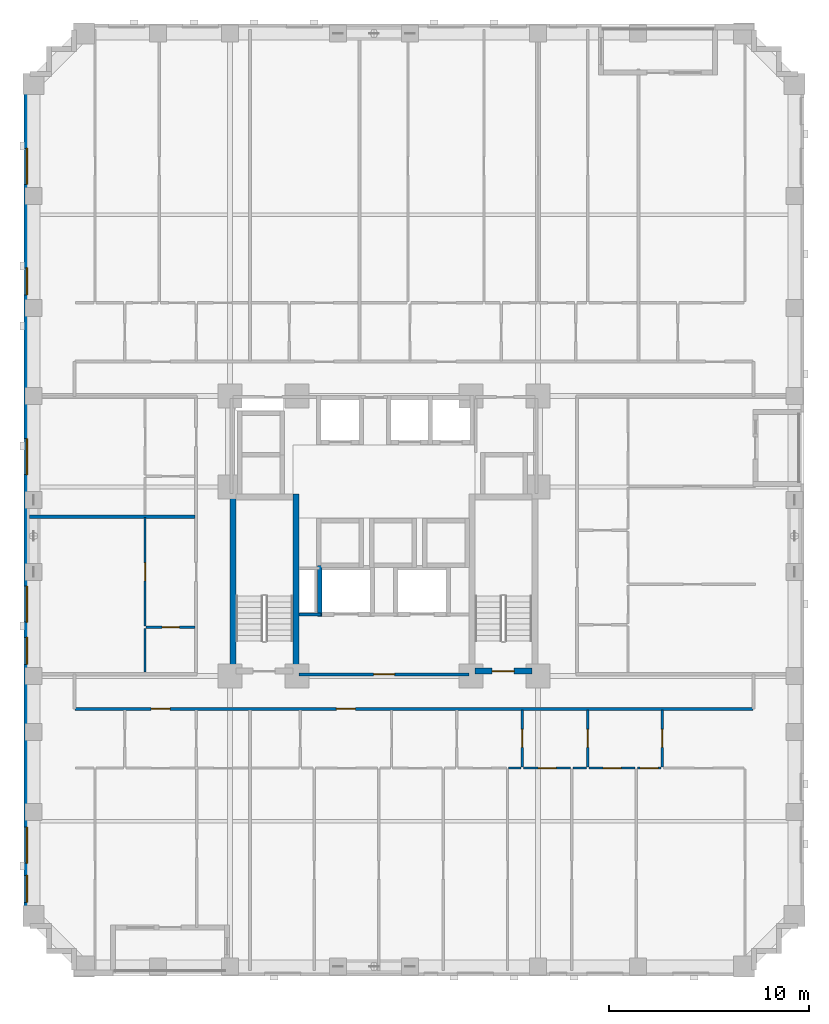
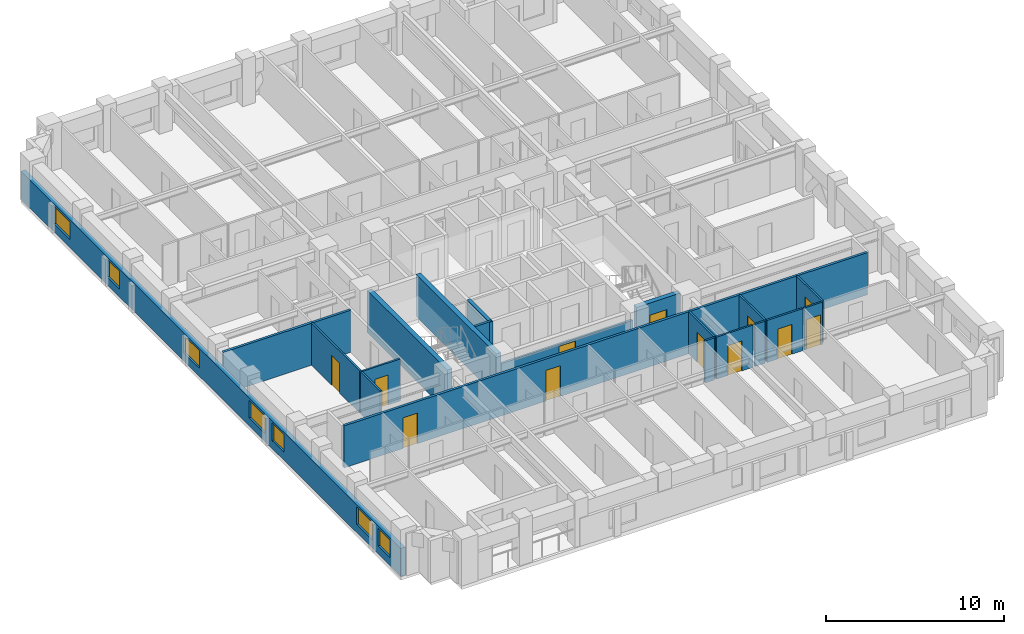
# One storey, part 4 of 14: 20 walls, 12 doors, 7 windows, 19 openings.
"""IFC4 building model written with IfcOpenShell, lengths in metres."""

import ifcopenshell
import ifcopenshell.guid

model = None  # the IFC model being written
_history = None  # IfcOwnerHistory: only IFC2X3 demands one
_inside = {}  # id of a spatial element -> (the spatial element, [elements in it])
_under = {}  # id of a project, library or spatial element -> (it, [spatial elements below it])
_declared = {}  # id of a project -> (the project, [libraries it declares])
_typed = {}  # id of a type object -> (the type object, [elements of that type])
_made_of = {}  # id of a material, layer set ... -> (it, [elements and type objects made of it])


def new_model(schema):
    """Start an empty IFC model of exactly this schema.

    Asked for "IFC4X3", IfcOpenShell would pick the latest addendum, in which some entities
    have other attributes; the version numbers below select the first issue.
    IFC2X3 requires an IfcOwnerHistory on every rooted entity: one is made here for all.
    """
    global model, _history
    if schema == "IFC4X3":
        model = ifcopenshell.file(schema_version=(4, 3, 0, 0))
    else:
        model = ifcopenshell.file(schema=schema)
    _inside.clear()
    _under.clear()
    _declared.clear()
    _typed.clear()
    _made_of.clear()
    _history = None
    if model.schema == "IFC2X3":
        org = make("IfcOrganization", Name="unknown")
        user = make(
            "IfcPersonAndOrganization",
            ThePerson=make("IfcPerson", FamilyName="unknown"),
            TheOrganization=org,
        )
        app = make(
            "IfcApplication",
            ApplicationDeveloper=org,
            Version="unknown",
            ApplicationFullName="unknown",
            ApplicationIdentifier="unknown",
        )
        _history = make(
            "IfcOwnerHistory",
            OwningUser=user,
            OwningApplication=app,
            ChangeAction="ADDED",
            CreationDate=0,
        )
    return model


def make(cls, **values):
    """One entity of the class cls with the attributes given. An attribute that is None is left unset."""
    return model.create_entity(
        cls, **{name: value for name, value in values.items() if value is not None}
    )


def rooted(cls, **values):
    """An entity with a GlobalId (a new one), such as an element, a storey or a relation."""
    return make(cls, GlobalId=ifcopenshell.guid.new(), OwnerHistory=_history, **values)


def si_unit(unit_type, name, prefix=None):
    """IfcSIUnit, for example si_unit("LENGTHUNIT", "METRE", prefix="MILLI")."""
    return make("IfcSIUnit", UnitType=unit_type, Prefix=prefix, Name=name)


def derived_unit(unit_type, elements):
    """IfcDerivedUnit: a product of units, each with its exponent."""
    return make(
        "IfcDerivedUnit",
        Elements=[
            make("IfcDerivedUnitElement", Unit=unit, Exponent=power)
            for unit, power in elements
        ],
        UnitType=unit_type,
    )


def assignment(units):
    """IfcUnitAssignment: the units of a project."""
    return None if units is None else make("IfcUnitAssignment", Units=units)


def point(xyz):
    """IfcCartesianPoint."""
    return None if xyz is None else make("IfcCartesianPoint", Coordinates=xyz)


def direction(xyz):
    """IfcDirection."""
    return None if xyz is None else make("IfcDirection", DirectionRatios=xyz)


def frame(location, z_axis=None, x_axis=None):
    """IfcAxis2Placement3D, a coordinate frame: its origin and axes. An axis left out is left unset."""
    return make(
        "IfcAxis2Placement3D",
        Location=point(location),
        Axis=direction(z_axis),
        RefDirection=direction(x_axis),
    )


def frame_2d(location, x_axis=None):
    """IfcAxis2Placement2D, a coordinate frame in the plane: its origin and x axis."""
    return make(
        "IfcAxis2Placement2D", Location=point(location), RefDirection=direction(x_axis)
    )


def origin():
    """The frame at (0, 0, 0) with its axes left unset."""
    return frame((0.0, 0.0, 0.0))


def place(relative_to, where):
    """IfcLocalPlacement: puts the frame where relative to a parent placement (None: the world)."""
    return make(
        "IfcLocalPlacement", PlacementRelTo=relative_to, RelativePlacement=where
    )


def context(
    kind, dimensions, precision=None, world=None, true_north=None, identifier=None
):
    """IfcGeometricRepresentationContext, for example the 3D "Model" context."""
    return make(
        "IfcGeometricRepresentationContext",
        ContextIdentifier=identifier,
        ContextType=kind,
        CoordinateSpaceDimension=dimensions,
        Precision=precision,
        WorldCoordinateSystem=world,
        TrueNorth=true_north,
    )


def subcontext(parent, identifier, kind, view, scale=None):
    """IfcGeometricRepresentationSubContext, for example "Body" below "Model"."""
    return make(
        "IfcGeometricRepresentationSubContext",
        ContextIdentifier=identifier,
        ContextType=kind,
        ParentContext=parent,
        TargetScale=scale,
        TargetView=view,
    )


def project(units=None, contexts=None):
    """IfcProject with its units and contexts."""
    return rooted(
        "IfcProject",
        Name="project",
        RepresentationContexts=contexts,
        UnitsInContext=assignment(units),
    )


def spatial(cls, under=None, at=None, **own):
    """A site, building, storey or space (cls), placed at a placement, below another one or the project."""
    s = rooted(cls, ObjectPlacement=at, **own)
    if under is not None:
        _under.setdefault(under.id(), (under, []))[1].append(s)
    return s


def profile(cls, at=None, kind="AREA", **sizes):
    """A parametric profile (cls). Its sizes go by their IFC names, for example OverallWidth=200.0."""
    return make(cls, ProfileType=kind, Position=at, **sizes)


def rectangle(**sizes):
    """IfcRectangleProfileDef."""
    return profile("IfcRectangleProfileDef", **sizes)


def extrude(swept, where, along, depth):
    """IfcExtrudedAreaSolid: the profile swept, set in the frame where, extruded along a direction by depth."""
    return make(
        "IfcExtrudedAreaSolid",
        SweptArea=swept,
        Position=where,
        ExtrudedDirection=direction(along),
        Depth=depth,
    )


def shape(context_of_items, identifier, shape_type, items):
    """IfcShapeRepresentation: the items that make up one representation, for example the "Body"."""
    return make(
        "IfcShapeRepresentation",
        ContextOfItems=context_of_items,
        RepresentationIdentifier=identifier,
        RepresentationType=shape_type,
        Items=items,
    )


def material(Name=None, Category=None):
    """IfcMaterial."""
    return make("IfcMaterial", Name=Name, Category=Category)


def layer(
    of_material, thickness, ventilated=None, Name=None, Category=None, Priority=None
):
    """IfcMaterialLayer: one layer of a wall or slab, of a material (None: an air gap)."""
    return make(
        "IfcMaterialLayer",
        Material=of_material,
        LayerThickness=thickness,
        IsVentilated=ventilated,
        Name=Name,
        Category=Category,
        Priority=Priority,
    )


def layer_set(layers, Name=None):
    """IfcMaterialLayerSet."""
    return make("IfcMaterialLayerSet", MaterialLayers=layers, LayerSetName=Name)


def made_of(thing, what):
    """Note that an element or type object is made of a material, layer set ...; save() writes the relation."""
    if what is not None:
        _made_of.setdefault(what.id(), (what, []))[1].append(thing)
    return thing


def type_object(cls, material=None, **own):
    """A type object (cls), such as IfcWallType, which elements share."""
    return made_of(rooted(cls, **own), material)


def element(
    cls,
    number,
    at=None,
    inside=None,
    cuts=None,
    type_object=None,
    material=None,
    context=None,
    identifier="Body",
    shape_type=None,
    held_by="IfcProductDefinitionShape",
    body=None,
    shapes=None,
    **own,
):
    """One element of the class cls, such as IfcWall. Its Tag is "e" and its number.

    at: its placement. inside: the storey or other place that contains it. cuts: it is an
    opening in that element (IfcRelVoidsElement). A single representation is given by context,
    identifier, shape_type and body (its items); several are given by shapes. held_by: the class
    of the entity that holds the representations. save() writes the other relations.
    """
    e = rooted(cls, Tag="e%d" % number, ObjectPlacement=at, **own)
    if body is not None:
        shapes = [shape(context, identifier, shape_type, body)]
    if shapes is not None:
        e.Representation = make(held_by, Representations=shapes)
    if inside is not None:
        _inside.setdefault(inside.id(), (inside, []))[1].append(e)
    if cuts is not None:
        rooted(
            "IfcRelVoidsElement", RelatingBuildingElement=cuts, RelatedOpeningElement=e
        )
    if type_object is not None:
        _typed.setdefault(type_object.id(), (type_object, []))[1].append(e)
    return made_of(e, material)


def fill(opening, filler):
    """IfcRelFillsElement: the door or window that sits in an opening."""
    return rooted(
        "IfcRelFillsElement",
        RelatingOpeningElement=opening,
        RelatedBuildingElement=filler,
    )


def aggregate(whole, parts):
    """IfcRelAggregates: a whole, such as a stair, and the parts it consists of."""
    return rooted("IfcRelAggregates", RelatingObject=whole, RelatedObjects=parts)


def save(model, path):
    """Write the relations noted so far, then the file.

    IfcRelAggregates (storeys below a building ...), IfcRelContainedInSpatialStructure (elements
    in a storey), IfcRelDefinesByType, IfcRelAssociatesMaterial and IfcRelDeclares: one each for
    every whole, place, type object, material and project.
    """
    for whole, parts in _under.values():
        aggregate(whole, parts)
    for where, things in _inside.values():
        rooted(
            "IfcRelContainedInSpatialStructure",
            RelatedElements=things,
            RelatingStructure=where,
        )
    for kind, things in _typed.values():
        rooted("IfcRelDefinesByType", RelatedObjects=things, RelatingType=kind)
    for what, things in _made_of.values():
        rooted("IfcRelAssociatesMaterial", RelatedObjects=things, RelatingMaterial=what)
    for by, libraries in _declared.values():
        rooted("IfcRelDeclares", RelatingContext=by, RelatedDefinitions=libraries)
    model.write(path)


model = new_model("IFC4")

# Units and contexts
model_context = context("Model", 3, precision=1e-05, world=origin(), true_north=direction((0.0, 1.0)))
body_context = subcontext(model_context, "Body", "Model", "MODEL_VIEW")
ifc_project = project(units=[si_unit("LENGTHUNIT", "METRE"), si_unit("AREAUNIT", "SQUARE_METRE"), si_unit("VOLUMEUNIT", "CUBIC_METRE"), si_unit("PLANEANGLEUNIT", "RADIAN"), si_unit("MASSUNIT", "GRAM", prefix="KILO"), derived_unit("THERMALTRANSMITTANCEUNIT", [(si_unit("MASSUNIT", "GRAM", prefix="KILO"), 1), (si_unit("TIMEUNIT", "SECOND"), -3), (si_unit("THERMODYNAMICTEMPERATUREUNIT", "KELVIN"), -1)])], contexts=[model_context])

# Site, building, storey
site_placement = place(None, origin())
site = spatial("IfcSite", under=ifc_project, at=site_placement, CompositionType="ELEMENT")
building_placement = place(site_placement, origin())
building = spatial("IfcBuilding", under=site, at=building_placement, Name="Korrvale Station Residences", CompositionType="ELEMENT")
storey_placement = place(building_placement, frame((0.0, 0.0, 67.39990234375)))
storey = spatial("IfcBuildingStorey", under=building, at=storey_placement, Name="L18", CompositionType="ELEMENT", Elevation=67.39990234375)

# Walls
ifc_material_1 = material(Name="Concrete C70/85", Category="concrete")
ifc_layer_1 = layer(ifc_material_1, 0.300048828125, Name="Concrete C70/85")
ifc_layer_set_1 = layer_set([ifc_layer_1], Name="Concrete C70/85")
wall_type_1 = type_object("IfcWallType", Name="WAL-CORE-300-C70", PredefinedType="SHEAR", material=ifc_layer_set_1)
for number, where, z_axis, x_axis, name in (
    (1, (17.949951171875, 15.10009765625, 0.0), (0.0, 0.0, 1.0), (0.0, 1.0, 0.0), "L18 ST-1 Core Shear Wall West"),
    (2, (21.10009765625, 15.10009765625, 0.0), (0.0, 0.0, 1.0), (0.0, 1.0, 0.0), "L18 ST-1 Core Shear Wall East"),
):
    element("IfcWall", number, at=place(storey_placement, frame(where, z_axis=z_axis, x_axis=x_axis)), inside=storey, type_object=wall_type_1, Name=name, PredefinedType="SHEAR", context=body_context, shape_type="SweptSolid", body=[
        extrude(rectangle(XDim=9.0, YDim=0.300048828125, at=frame_2d((4.5, 0.0))), origin(), (0.0, 0.0, 1.0), 2.880126953125),
    ])

# Wall, opening, door
wall_1_placement = place(storey_placement, frame((30.050048828125, 15.25, 0.0), z_axis=(0.0, 0.0, 1.0), x_axis=(1.0, 0.0, 0.0)))
wall_1 = element("IfcWall", 3, at=wall_1_placement, inside=storey, type_object=wall_type_1, Name="L18 ST-2 Core Shear Wall South", PredefinedType="SHEAR", context=body_context, shape_type="SweptSolid", body=[
    extrude(rectangle(XDim=2.849853515625, YDim=0.300048828125, at=frame_2d((1.4248046875, 0.0))), origin(), (0.0, 0.0, 1.0), 2.880126953125),
])
opening_1_placement = place(wall_1_placement, frame((0.860107421875, 0.0, 0.0)))
opening_1 = element("IfcOpeningElement", 4, at=opening_1_placement, cuts=wall_1, Name="Opening SD-1100", PredefinedType="OPENING", context=body_context, shape_type="SweptSolid", body=[
    extrude(rectangle(XDim=1.10009765625, YDim=2.050048828125, at=frame_2d((0.550048828125, 1.02490234375))), frame((0.0, 0.16015625, 0.0), z_axis=(0.0, -1.0, 0.0), x_axis=(1.0, 0.0, 0.0)), (0.0, 0.0, 1.0), 0.320068359375),
])
ifc_material_2 = material(Name="Hollow-metal fire-rated stair door with closer", Category="steel")
door_type_1 = type_object("IfcDoorType", Name="DR-STAIR-1100", OperationType="NOTDEFINED", PredefinedType="DOOR", material=ifc_material_2)
door_1_placement = place(opening_1_placement, origin())
door_1 = element("IfcDoor", 5, at=door_1_placement, inside=storey, type_object=door_type_1, Name="L18 ST-2 Exit Stair Door", OperationType="SINGLE_SWING_RIGHT", OverallHeight=2.050048828125, OverallWidth=1.10009765625, PredefinedType="DOOR", context=body_context, shape_type="SweptSolid", body=[
    extrude(rectangle(XDim=1.10009765625, YDim=2.050048828125, at=frame_2d((0.550048828125, 1.02490234375))), frame((0.0, 0.02490234375, 0.0), z_axis=(0.0, -1.0, 0.0), x_axis=(1.0, 0.0, 0.0)), (0.0, 0.0, 1.0), 0.050048828125),
])
fill(opening_1, door_1)

# Wall, openings, windows
ifc_material_3 = material(Name="Precast concrete C45/55", Category="concrete")
ifc_layer_2 = layer(ifc_material_3, 0.300048828125, Name="Precast concrete C45/55")
ifc_layer_set_2 = layer_set([ifc_layer_2], Name="Precast concrete C45/55")
wall_type_2 = type_object("IfcWallType", Name="WAL-EXT-PC300", PredefinedType="SOLIDWALL", material=ifc_layer_set_2)
wall_2_placement = place(storey_placement, frame((7.64990234375, 2.5, 0.0), z_axis=(0.0, 0.0, 1.0), x_axis=(0.0, 1.0, 0.0)))
wall_2 = element("IfcWall", 6, at=wall_2_placement, inside=storey, type_object=wall_type_2, Name="L18 West Exterior Precast Wall 1", PredefinedType="SOLIDWALL", context=body_context, shape_type="SweptSolid", body=[
    extrude(rectangle(XDim=42.60009765625, YDim=0.300048828125, at=frame_2d((21.300048828125, 0.0))), origin(), (0.0, 0.0, 1.0), 1.9150390625),
])
opening_2_placement = place(wall_2_placement, frame((3.14990234375, 0.0, 0.550048828125)))
opening_2 = element("IfcOpeningElement", 7, at=opening_2_placement, cuts=wall_2, Name="Opening W-09", PredefinedType="OPENING", context=body_context, shape_type="SweptSolid", body=[
    extrude(rectangle(XDim=1.800048828125, YDim=1.199951171875, at=frame_2d((0.89990234375, 0.60009765625))), frame((0.0, 0.16015625, 0.0), z_axis=(0.0, -1.0, 0.0), x_axis=(1.0, 0.0, 0.0)), (0.0, 0.0, 1.0), 0.320068359375),
])
opening_3_placement = place(wall_2_placement, frame((1.18505859375, 0.0, 0.550048828125)))
opening_3 = element("IfcOpeningElement", 8, at=opening_3_placement, cuts=wall_2, Name="Opening W-10", PredefinedType="OPENING", context=body_context, shape_type="SweptSolid", body=[
    extrude(rectangle(XDim=1.35009765625, YDim=1.199951171875, at=frame_2d((0.675048828125, 0.60009765625))), frame((0.0, 0.16015625, 0.0), z_axis=(0.0, -1.0, 0.0), x_axis=(1.0, 0.0, 0.0)), (0.0, 0.0, 1.0), 0.320068359375),
])
opening_4_placement = place(wall_2_placement, frame((37.0849609375, 0.0, 0.550048828125)))
opening_4 = element("IfcOpeningElement", 9, at=opening_4_placement, cuts=wall_2, Name="Opening W-09", PredefinedType="OPENING", context=body_context, shape_type="SweptSolid", body=[
    extrude(rectangle(XDim=1.800048828125, YDim=1.199951171875, at=frame_2d((0.89990234375, 0.60009765625))), frame((0.0, 0.16015625, 0.0), z_axis=(0.0, -1.0, 0.0), x_axis=(1.0, 0.0, 0.0)), (0.0, 0.0, 1.0), 0.320068359375),
])
opening_5_placement = place(wall_2_placement, frame((31.550048828125, 0.0, 0.550048828125)))
opening_5 = element("IfcOpeningElement", 10, at=opening_5_placement, cuts=wall_2, Name="Opening W-10", PredefinedType="OPENING", context=body_context, shape_type="SweptSolid", body=[
    extrude(rectangle(XDim=1.35009765625, YDim=1.199951171875, at=frame_2d((0.675048828125, 0.60009765625))), frame((0.0, 0.16015625, 0.0), z_axis=(0.0, -1.0, 0.0), x_axis=(1.0, 0.0, 0.0)), (0.0, 0.0, 1.0), 0.320068359375),
])
opening_6_placement = place(wall_2_placement, frame((15.199951171875, 0.0, 0.550048828125)))
opening_6 = element("IfcOpeningElement", 11, at=opening_6_placement, cuts=wall_2, Name="Opening W-09", PredefinedType="OPENING", context=body_context, shape_type="SweptSolid", body=[
    extrude(rectangle(XDim=1.800048828125, YDim=1.199951171875, at=frame_2d((0.89990234375, 0.60009765625))), frame((0.0, 0.16015625, 0.0), z_axis=(0.0, -1.0, 0.0), x_axis=(1.0, 0.0, 0.0)), (0.0, 0.0, 1.0), 0.320068359375),
])
opening_7_placement = place(wall_2_placement, frame((13.0849609375, 0.0, 0.550048828125)))
opening_7 = element("IfcOpeningElement", 12, at=opening_7_placement, cuts=wall_2, Name="Opening W-10", PredefinedType="OPENING", context=body_context, shape_type="SweptSolid", body=[
    extrude(rectangle(XDim=1.35009765625, YDim=1.199951171875, at=frame_2d((0.675048828125, 0.60009765625))), frame((0.0, 0.16015625, 0.0), z_axis=(0.0, -1.0, 0.0), x_axis=(1.0, 0.0, 0.0)), (0.0, 0.0, 1.0), 0.320068359375),
])
opening_8_placement = place(wall_2_placement, frame((22.574951171875, 0.0, 0.550048828125)))
opening_8 = element("IfcOpeningElement", 13, at=opening_8_placement, cuts=wall_2, Name="Opening W-09", PredefinedType="OPENING", context=body_context, shape_type="SweptSolid", body=[
    extrude(rectangle(XDim=1.800048828125, YDim=1.199951171875, at=frame_2d((0.89990234375, 0.60009765625))), frame((0.0, 0.16015625, 0.0), z_axis=(0.0, -1.0, 0.0), x_axis=(1.0, 0.0, 0.0)), (0.0, 0.0, 1.0), 0.320068359375),
])
ifc_material_4 = material(Name="Thermally broken aluminium frame with triple low-e glazing", Category="aluminium")
window_type_1 = type_object("IfcWindowType", Name="WIN-W09", PartitioningType="DOUBLE_PANEL_VERTICAL", PredefinedType="WINDOW", material=ifc_material_4)
window_1_placement = place(opening_2_placement, origin())
window_1 = element("IfcWindow", 14, at=window_1_placement, inside=storey, type_object=window_type_1, Name="L18 Punched Window 01", OverallHeight=1.199951171875, OverallWidth=1.800048828125, PartitioningType="DOUBLE_PANEL_VERTICAL", PredefinedType="WINDOW", context=body_context, shape_type="SweptSolid", body=[
    extrude(rectangle(XDim=1.800048828125, YDim=1.199951171875, at=frame_2d((0.89990234375, 0.60009765625))), frame((0.0, 0.030029296875, 0.0), z_axis=(0.0, -1.0, 0.0), x_axis=(1.0, 0.0, 0.0)), (0.0, 0.0, 1.0), 0.06005859375),
])
fill(opening_2, window_1)
window_2_placement = place(opening_4_placement, origin())
window_2 = element("IfcWindow", 15, at=window_2_placement, inside=storey, type_object=window_type_1, Name="L18 Punched Window 13", OverallHeight=1.199951171875, OverallWidth=1.800048828125, PartitioningType="DOUBLE_PANEL_VERTICAL", PredefinedType="WINDOW", context=body_context, shape_type="SweptSolid", body=[
    extrude(rectangle(XDim=1.800048828125, YDim=1.199951171875, at=frame_2d((0.89990234375, 0.60009765625))), frame((0.0, 0.030029296875, 0.0), z_axis=(0.0, -1.0, 0.0), x_axis=(1.0, 0.0, 0.0)), (0.0, 0.0, 1.0), 0.06005859375),
])
fill(opening_4, window_2)
window_3_placement = place(opening_6_placement, origin())
window_3 = element("IfcWindow", 16, at=window_3_placement, inside=storey, type_object=window_type_1, Name="L18 Punched Window 25", OverallHeight=1.199951171875, OverallWidth=1.800048828125, PartitioningType="DOUBLE_PANEL_VERTICAL", PredefinedType="WINDOW", context=body_context, shape_type="SweptSolid", body=[
    extrude(rectangle(XDim=1.800048828125, YDim=1.199951171875, at=frame_2d((0.89990234375, 0.60009765625))), frame((0.0, 0.030029296875, 0.0), z_axis=(0.0, -1.0, 0.0), x_axis=(1.0, 0.0, 0.0)), (0.0, 0.0, 1.0), 0.06005859375),
])
fill(opening_6, window_3)
window_4_placement = place(opening_8_placement, origin())
window_4 = element("IfcWindow", 17, at=window_4_placement, inside=storey, type_object=window_type_1, Name="L18 Punched Window 27", OverallHeight=1.199951171875, OverallWidth=1.800048828125, PartitioningType="DOUBLE_PANEL_VERTICAL", PredefinedType="WINDOW", context=body_context, shape_type="SweptSolid", body=[
    extrude(rectangle(XDim=1.800048828125, YDim=1.199951171875, at=frame_2d((0.89990234375, 0.60009765625))), frame((0.0, 0.030029296875, 0.0), z_axis=(0.0, -1.0, 0.0), x_axis=(1.0, 0.0, 0.0)), (0.0, 0.0, 1.0), 0.06005859375),
])
fill(opening_8, window_4)
window_type_2 = type_object("IfcWindowType", Name="WIN-W10", PartitioningType="SINGLE_PANEL", PredefinedType="WINDOW", material=ifc_material_4)
window_5_placement = place(opening_3_placement, origin())
window_5 = element("IfcWindow", 18, at=window_5_placement, inside=storey, type_object=window_type_2, Name="L18 Punched Window 02", OverallHeight=1.199951171875, OverallWidth=1.35009765625, PartitioningType="SINGLE_PANEL", PredefinedType="WINDOW", context=body_context, shape_type="SweptSolid", body=[
    extrude(rectangle(XDim=1.35009765625, YDim=1.199951171875, at=frame_2d((0.675048828125, 0.60009765625))), frame((0.0, 0.030029296875, 0.0), z_axis=(0.0, -1.0, 0.0), x_axis=(1.0, 0.0, 0.0)), (0.0, 0.0, 1.0), 0.06005859375),
])
fill(opening_3, window_5)
window_6_placement = place(opening_5_placement, origin())
window_6 = element("IfcWindow", 19, at=window_6_placement, inside=storey, type_object=window_type_2, Name="L18 Punched Window 14", OverallHeight=1.199951171875, OverallWidth=1.35009765625, PartitioningType="SINGLE_PANEL", PredefinedType="WINDOW", context=body_context, shape_type="SweptSolid", body=[
    extrude(rectangle(XDim=1.35009765625, YDim=1.199951171875, at=frame_2d((0.675048828125, 0.60009765625))), frame((0.0, 0.030029296875, 0.0), z_axis=(0.0, -1.0, 0.0), x_axis=(1.0, 0.0, 0.0)), (0.0, 0.0, 1.0), 0.06005859375),
])
fill(opening_5, window_6)
window_7_placement = place(opening_7_placement, origin())
window_7 = element("IfcWindow", 20, at=window_7_placement, inside=storey, type_object=window_type_2, Name="L18 Punched Window 26", OverallHeight=1.199951171875, OverallWidth=1.35009765625, PartitioningType="SINGLE_PANEL", PredefinedType="WINDOW", context=body_context, shape_type="SweptSolid", body=[
    extrude(rectangle(XDim=1.35009765625, YDim=1.199951171875, at=frame_2d((0.675048828125, 0.60009765625))), frame((0.0, 0.030029296875, 0.0), z_axis=(0.0, -1.0, 0.0), x_axis=(1.0, 0.0, 0.0)), (0.0, 0.0, 1.0), 0.06005859375),
])
fill(opening_7, window_7)

# Wall, opening, door
ifc_material_5 = material(Name="Acoustic steel-stud gypsum board partition", Category="steel")
ifc_layer_3 = layer(ifc_material_5, 0.1201171875, Name="Acoustic steel-stud gypsum board partition")
ifc_layer_set_3 = layer_set([ifc_layer_3], Name="Acoustic steel-stud gypsum board partition")
wall_type_3 = type_object("IfcWallType", Name="WAL-PART-125", PredefinedType="PARTITIONING", material=ifc_layer_set_3)
wall_3_placement = place(storey_placement, frame((32.416015625, 10.4599609375, 0.0), z_axis=(0.0, 0.0, 1.0), x_axis=(0.0, 1.0, 0.0)))
wall_3 = element("IfcWall", 21, at=wall_3_placement, inside=storey, type_object=wall_type_3, Name="L18 Suite Partition U02-V34", PredefinedType="PARTITIONING", context=body_context, shape_type="SweptSolid", body=[
    extrude(rectangle(XDim=2.85009765625, YDim=0.1201171875, at=frame_2d((1.425048828125, 0.0))), origin(), (0.0, 0.0, 1.0), 2.880126953125),
])
opening_9_placement = place(wall_3_placement, frame((0.97509765625, 0.0, 0.0)))
opening_9 = element("IfcOpeningElement", 22, at=opening_9_placement, cuts=wall_3, Name="Opening DI-900", PredefinedType="OPENING", context=body_context, shape_type="SweptSolid", body=[
    extrude(rectangle(XDim=0.89990234375, YDim=2.050048828125, at=frame_2d((0.449951171875, 1.02490234375))), frame((0.0, 0.070068359375, 0.0), z_axis=(0.0, -1.0, 0.0), x_axis=(1.0, 0.0, 0.0)), (0.0, 0.0, 1.0), 0.14013671875),
])
ifc_material_6 = material(Name="Painted solid-core timber interior room door", Category="wood")
door_type_2 = type_object("IfcDoorType", Name="DR-INT-900", OperationType="NOTDEFINED", PredefinedType="DOOR", material=ifc_material_6)
door_2_placement = place(opening_9_placement, origin())
door_2 = element("IfcDoor", 23, at=door_2_placement, inside=storey, type_object=door_type_2, Name="L18 Studio Apartment L18-U02 Home Study Room Door", OperationType="SINGLE_SWING_RIGHT", OverallHeight=2.050048828125, OverallWidth=0.89990234375, PredefinedType="DOOR", context=body_context, shape_type="SweptSolid", body=[
    extrude(rectangle(XDim=0.89990234375, YDim=2.050048828125, at=frame_2d((0.449951171875, 1.02490234375))), frame((0.0, 0.02490234375, 0.0), z_axis=(0.0, -1.0, 0.0), x_axis=(1.0, 0.0, 0.0)), (0.0, 0.0, 1.0), 0.050048828125),
])
fill(opening_9, door_2)

# Wall
wall_4_placement = place(storey_placement, frame((31.736083984375, 10.39990234375, 0.0), z_axis=(0.0, 0.0, 1.0), x_axis=(1.0, 0.0, 0.0)))
element("IfcWall", 24, at=wall_4_placement, inside=storey, type_object=wall_type_3, Name="L18 Suite Partition U02-H311", PredefinedType="PARTITIONING", context=body_context, shape_type="SweptSolid", body=[
    extrude(rectangle(XDim=0.619873046875, YDim=0.1201171875, at=frame_2d((0.31005859375, 0.0))), origin(), (0.0, 0.0, 1.0), 2.880126953125),
])

# Wall, opening, door
wall_5_placement = place(storey_placement, frame((35.68603515625, 10.4599609375, 0.0), z_axis=(0.0, 0.0, 1.0), x_axis=(0.0, 1.0, 0.0)))
wall_5 = element("IfcWall", 25, at=wall_5_placement, inside=storey, type_object=wall_type_3, Name="L18 Suite Partition U02-V45", PredefinedType="PARTITIONING", context=body_context, shape_type="SweptSolid", body=[
    extrude(rectangle(XDim=2.85009765625, YDim=0.1201171875, at=frame_2d((1.425048828125, 0.0))), origin(), (0.0, 0.0, 1.0), 2.880126953125),
])
opening_10_placement = place(wall_5_placement, frame((0.97509765625, 0.0, 0.0)))
opening_10 = element("IfcOpeningElement", 26, at=opening_10_placement, cuts=wall_5, Name="Opening DI-900", PredefinedType="OPENING", context=body_context, shape_type="SweptSolid", body=[
    extrude(rectangle(XDim=0.89990234375, YDim=2.050048828125, at=frame_2d((0.449951171875, 1.02490234375))), frame((0.0, 0.070068359375, 0.0), z_axis=(0.0, -1.0, 0.0), x_axis=(1.0, 0.0, 0.0)), (0.0, 0.0, 1.0), 0.14013671875),
])
door_3_placement = place(opening_10_placement, origin())
door_3 = element("IfcDoor", 27, at=door_3_placement, inside=storey, type_object=door_type_2, Name="L18 Studio Apartment L18-U02 Utility and Laundry Room Door", OperationType="SINGLE_SWING_RIGHT", OverallHeight=2.050048828125, OverallWidth=0.89990234375, PredefinedType="DOOR", context=body_context, shape_type="SweptSolid", body=[
    extrude(rectangle(XDim=0.89990234375, YDim=2.050048828125, at=frame_2d((0.449951171875, 1.02490234375))), frame((0.0, 0.02490234375, 0.0), z_axis=(0.0, -1.0, 0.0), x_axis=(1.0, 0.0, 0.0)), (0.0, 0.0, 1.0), 0.050048828125),
])
fill(opening_10, door_3)

wall_6_placement = place(storey_placement, frame((32.47607421875, 10.39990234375, 0.0), z_axis=(0.0, 0.0, 1.0), x_axis=(1.0, 0.0, 0.0)))
wall_6 = element("IfcWall", 28, at=wall_6_placement, inside=storey, type_object=wall_type_3, Name="L18 Suite Partition U02-H411", PredefinedType="PARTITIONING", context=body_context, shape_type="SweptSolid", body=[
    extrude(rectangle(XDim=2.35986328125, YDim=0.1201171875, at=frame_2d((1.179931640625, 0.0))), origin(), (0.0, 0.0, 1.0), 2.880126953125),
])
opening_11_placement = place(wall_6_placement, frame((0.72998046875, 0.0, 0.0)))
opening_11 = element("IfcOpeningElement", 29, at=opening_11_placement, cuts=wall_6, Name="Opening DI-900", PredefinedType="OPENING", context=body_context, shape_type="SweptSolid", body=[
    extrude(rectangle(XDim=0.89990234375, YDim=2.050048828125, at=frame_2d((0.449951171875, 1.02490234375))), frame((0.0, 0.070068359375, 0.0), z_axis=(0.0, -1.0, 0.0), x_axis=(1.0, 0.0, 0.0)), (0.0, 0.0, 1.0), 0.14013671875),
])
door_4_placement = place(opening_11_placement, origin())
door_4 = element("IfcDoor", 30, at=door_4_placement, inside=storey, type_object=door_type_2, Name="L18 Studio Apartment L18-U02 Utility and Laundry Room Door", OperationType="SINGLE_SWING_LEFT", OverallHeight=2.050048828125, OverallWidth=0.89990234375, PredefinedType="DOOR", context=body_context, shape_type="SweptSolid", body=[
    extrude(rectangle(XDim=0.89990234375, YDim=2.050048828125, at=frame_2d((0.449951171875, 1.02490234375))), frame((0.0, 0.02490234375, 0.0), z_axis=(0.0, -1.0, 0.0), x_axis=(1.0, 0.0, 0.0)), (0.0, 0.0, 1.0), 0.050048828125),
])
fill(opening_11, door_4)

# Wall
wall_7_placement = place(storey_placement, frame((34.9560546875, 10.39990234375, 0.0), z_axis=(0.0, 0.0, 1.0), x_axis=(1.0, 0.0, 0.0)))
element("IfcWall", 31, at=wall_7_placement, inside=storey, type_object=wall_type_3, Name="L18 Suite Partition U02-H412", PredefinedType="PARTITIONING", context=body_context, shape_type="SweptSolid", body=[
    extrude(rectangle(XDim=0.669921875, YDim=0.1201171875, at=frame_2d((0.3349609375, 0.0))), origin(), (0.0, 0.0, 1.0), 2.880126953125),
])

# Wall, opening, door
wall_8_placement = place(storey_placement, frame((39.406005859375, 10.4599609375, 0.0), z_axis=(0.0, 0.0, 1.0), x_axis=(0.0, 1.0, 0.0)))
wall_8 = element("IfcWall", 32, at=wall_8_placement, inside=storey, type_object=wall_type_3, Name="L18 Suite Partition U02-V56", PredefinedType="PARTITIONING", context=body_context, shape_type="SweptSolid", body=[
    extrude(rectangle(XDim=2.85009765625, YDim=0.1201171875, at=frame_2d((1.425048828125, 0.0))), origin(), (0.0, 0.0, 1.0), 2.880126953125),
])
opening_12_placement = place(wall_8_placement, frame((0.97509765625, 0.0, 0.0)))
opening_12 = element("IfcOpeningElement", 33, at=opening_12_placement, cuts=wall_8, Name="Opening DI-900", PredefinedType="OPENING", context=body_context, shape_type="SweptSolid", body=[
    extrude(rectangle(XDim=0.89990234375, YDim=2.050048828125, at=frame_2d((0.449951171875, 1.02490234375))), frame((0.0, 0.070068359375, 0.0), z_axis=(0.0, -1.0, 0.0), x_axis=(1.0, 0.0, 0.0)), (0.0, 0.0, 1.0), 0.14013671875),
])
door_5_placement = place(opening_12_placement, origin())
door_5 = element("IfcDoor", 34, at=door_5_placement, inside=storey, type_object=door_type_2, Name="L18 Studio Apartment L18-U02 Storage Closet 2 Door", OperationType="SINGLE_SWING_RIGHT", OverallHeight=2.050048828125, OverallWidth=0.89990234375, PredefinedType="DOOR", context=body_context, shape_type="SweptSolid", body=[
    extrude(rectangle(XDim=0.89990234375, YDim=2.050048828125, at=frame_2d((0.449951171875, 1.02490234375))), frame((0.0, 0.02490234375, 0.0), z_axis=(0.0, -1.0, 0.0), x_axis=(1.0, 0.0, 0.0)), (0.0, 0.0, 1.0), 0.050048828125),
])
fill(opening_12, door_5)

wall_9_placement = place(storey_placement, frame((35.74609375, 10.39990234375, 0.0), z_axis=(0.0, 0.0, 1.0), x_axis=(1.0, 0.0, 0.0)))
wall_9 = element("IfcWall", 35, at=wall_9_placement, inside=storey, type_object=wall_type_3, Name="L18 Suite Partition U02-H512", PredefinedType="PARTITIONING", context=body_context, shape_type="SweptSolid", body=[
    extrude(rectangle(XDim=2.309814453125, YDim=0.1201171875, at=frame_2d((1.15478515625, 0.0))), origin(), (0.0, 0.0, 1.0), 2.880126953125),
])
opening_13_placement = place(wall_9_placement, frame((0.705078125, 0.0, 0.0)))
opening_13 = element("IfcOpeningElement", 36, at=opening_13_placement, cuts=wall_9, Name="Opening DI-900", PredefinedType="OPENING", context=body_context, shape_type="SweptSolid", body=[
    extrude(rectangle(XDim=0.89990234375, YDim=2.050048828125, at=frame_2d((0.449951171875, 1.02490234375))), frame((0.0, 0.070068359375, 0.0), z_axis=(0.0, -1.0, 0.0), x_axis=(1.0, 0.0, 0.0)), (0.0, 0.0, 1.0), 0.14013671875),
])
door_6_placement = place(opening_13_placement, origin())
door_6 = element("IfcDoor", 37, at=door_6_placement, inside=storey, type_object=door_type_2, Name="L18 Studio Apartment L18-U02 Storage Closet 2 Door", OperationType="SINGLE_SWING_LEFT", OverallHeight=2.050048828125, OverallWidth=0.89990234375, PredefinedType="DOOR", context=body_context, shape_type="SweptSolid", body=[
    extrude(rectangle(XDim=0.89990234375, YDim=2.050048828125, at=frame_2d((0.449951171875, 1.02490234375))), frame((0.0, 0.02490234375, 0.0), z_axis=(0.0, -1.0, 0.0), x_axis=(1.0, 0.0, 0.0)), (0.0, 0.0, 1.0), 0.050048828125),
])
fill(opening_13, door_6)

wall_10_placement = place(storey_placement, frame((38.176025390625, 10.39990234375, 0.0), z_axis=(0.0, 0.0, 1.0), x_axis=(1.0, 0.0, 0.0)))
wall_10 = element("IfcWall", 38, at=wall_10_placement, inside=storey, type_object=wall_type_3, Name="L18 Suite Partition U02-H513", PredefinedType="PARTITIONING", context=body_context, shape_type="SweptSolid", body=[
    extrude(rectangle(XDim=1.169921875, YDim=0.1201171875, at=frame_2d((0.5849609375, 0.0))), origin(), (0.0, 0.0, 1.0), 2.880126953125),
])
opening_14_placement = place(wall_10_placement, frame((0.135009765625, 0.0, 0.0)))
opening_14 = element("IfcOpeningElement", 39, at=opening_14_placement, cuts=wall_10, Name="Opening DI-900", PredefinedType="OPENING", context=body_context, shape_type="SweptSolid", body=[
    extrude(rectangle(XDim=0.89990234375, YDim=2.050048828125, at=frame_2d((0.449951171875, 1.02490234375))), frame((0.0, 0.070068359375, 0.0), z_axis=(0.0, -1.0, 0.0), x_axis=(1.0, 0.0, 0.0)), (0.0, 0.0, 1.0), 0.14013671875),
])
door_7_placement = place(opening_14_placement, origin())
door_7 = element("IfcDoor", 40, at=door_7_placement, inside=storey, type_object=door_type_2, Name="L18 Studio Apartment L18-U02 Storage Closet 2 Door", OperationType="SINGLE_SWING_RIGHT", OverallHeight=2.050048828125, OverallWidth=0.89990234375, PredefinedType="DOOR", context=body_context, shape_type="SweptSolid", body=[
    extrude(rectangle(XDim=0.89990234375, YDim=2.050048828125, at=frame_2d((0.449951171875, 1.02490234375))), frame((0.0, 0.02490234375, 0.0), z_axis=(0.0, -1.0, 0.0), x_axis=(1.0, 0.0, 0.0)), (0.0, 0.0, 1.0), 0.050048828125),
])
fill(opening_14, door_7)

wall_11_placement = place(storey_placement, frame((13.610107421875, 17.428955078125, 0.0), z_axis=(0.0, 0.0, 1.0), x_axis=(1.0, 0.0, 0.0)))
wall_11 = element("IfcWall", 41, at=wall_11_placement, inside=storey, type_object=wall_type_3, Name="L18 Suite Partition U07-H01", PredefinedType="PARTITIONING", context=body_context, shape_type="SweptSolid", body=[
    extrude(rectangle(XDim=2.449951171875, YDim=0.1201171875, at=frame_2d((1.22509765625, 0.0))), origin(), (0.0, 0.0, 1.0), 2.880126953125),
])
opening_15_placement = place(wall_11_placement, frame((0.794921875, 0.0, 0.0)))
opening_15 = element("IfcOpeningElement", 42, at=opening_15_placement, cuts=wall_11, Name="Opening DB-860", PredefinedType="OPENING", context=body_context, shape_type="SweptSolid", body=[
    extrude(rectangle(XDim=0.860107421875, YDim=2.050048828125, at=frame_2d((0.43017578125, 1.02490234375))), frame((0.0, 0.070068359375, 0.0), z_axis=(0.0, -1.0, 0.0), x_axis=(1.0, 0.0, 0.0)), (0.0, 0.0, 1.0), 0.14013671875),
])
ifc_material_7 = material(Name="Moisture-resistant solid-core bathroom door", Category="timber")
door_type_3 = type_object("IfcDoorType", Name="DR-BATH-860", OperationType="NOTDEFINED", PredefinedType="DOOR", material=ifc_material_7)
door_8_placement = place(opening_15_placement, origin())
door_8 = element("IfcDoor", 43, at=door_8_placement, inside=storey, type_object=door_type_3, Name="L18 Apartment 1BR L18-U07 Bathroom Door", OperationType="SINGLE_SWING_RIGHT", OverallHeight=2.050048828125, OverallWidth=0.860107421875, PredefinedType="DOOR", context=body_context, shape_type="SweptSolid", body=[
    extrude(rectangle(XDim=0.860107421875, YDim=2.050048828125, at=frame_2d((0.43017578125, 1.02490234375))), frame((0.0, 0.02490234375, 0.0), z_axis=(0.0, -1.0, 0.0), x_axis=(1.0, 0.0, 0.0)), (0.0, 0.0, 1.0), 0.050048828125),
])
fill(opening_15, door_8)

# Wall
wall_12_placement = place(storey_placement, frame((13.550048828125, 15.2099609375, 0.0), z_axis=(0.0, 0.0, 1.0), x_axis=(0.0, 1.0, 0.0)))
element("IfcWall", 44, at=wall_12_placement, inside=storey, type_object=wall_type_3, Name="L18 Suite Partition U07-V02", PredefinedType="PARTITIONING", context=body_context, shape_type="SweptSolid", body=[
    extrude(rectangle(XDim=2.158935546875, YDim=0.1201171875, at=frame_2d((1.07958984375, 0.0))), origin(), (0.0, 0.0, 1.0), 2.880126953125),
])

# Wall, opening, door
wall_13_placement = place(storey_placement, frame((13.550048828125, 17.489013671875, 0.0), z_axis=(0.0, 0.0, 1.0), x_axis=(0.0, 1.0, 0.0)))
wall_13 = element("IfcWall", 45, at=wall_13_placement, inside=storey, type_object=wall_type_3, Name="L18 Suite Partition U07-V12", PredefinedType="PARTITIONING", context=body_context, shape_type="SweptSolid", body=[
    extrude(rectangle(XDim=5.43310546875, YDim=0.1201171875, at=frame_2d((2.716552734375, 0.0))), origin(), (0.0, 0.0, 1.0), 2.880126953125),
])
opening_16_placement = place(wall_13_placement, frame((2.26611328125, 0.0, 0.0)))
opening_16 = element("IfcOpeningElement", 46, at=opening_16_placement, cuts=wall_13, Name="Opening DI-900", PredefinedType="OPENING", context=body_context, shape_type="SweptSolid", body=[
    extrude(rectangle(XDim=0.89990234375, YDim=2.050048828125, at=frame_2d((0.449951171875, 1.02490234375))), frame((0.0, 0.070068359375, 0.0), z_axis=(0.0, -1.0, 0.0), x_axis=(1.0, 0.0, 0.0)), (0.0, 0.0, 1.0), 0.14013671875),
])
door_9_placement = place(opening_16_placement, origin())
door_9 = element("IfcDoor", 47, at=door_9_placement, inside=storey, type_object=door_type_2, Name="L18 Apartment 1BR L18-U07 Kitchen Door", OperationType="SINGLE_SWING_LEFT", OverallHeight=2.050048828125, OverallWidth=0.89990234375, PredefinedType="DOOR", context=body_context, shape_type="SweptSolid", body=[
    extrude(rectangle(XDim=0.89990234375, YDim=2.050048828125, at=frame_2d((0.449951171875, 1.02490234375))), frame((0.0, 0.02490234375, 0.0), z_axis=(0.0, -1.0, 0.0), x_axis=(1.0, 0.0, 0.0)), (0.0, 0.0, 1.0), 0.050048828125),
])
fill(opening_16, door_9)

ifc_material_8 = material(Name="Fire-rated twin-stud gypsum and mineral wool shaftwall assembly", Category="gypsum")
ifc_layer_4 = layer(ifc_material_8, 0.159912109375, Name="Fire-rated twin-stud gypsum and mineral wool shaftwall assembly")
ifc_layer_set_4 = layer_set([ifc_layer_4], Name="Fire-rated twin-stud gypsum and mineral wool shaftwall assembly")
wall_type_4 = type_object("IfcWallType", Name="WAL-PART-200", PredefinedType="PARTITIONING", material=ifc_layer_set_4)
wall_14_placement = place(storey_placement, frame((21.25, 15.080078125, 0.0), z_axis=(0.0, 0.0, 1.0), x_axis=(1.0, 0.0, 0.0)))
wall_14 = element("IfcWall", 48, at=wall_14_placement, inside=storey, type_object=wall_type_4, Name="L18 Core Partition CW-FFL-S", PredefinedType="PARTITIONING", context=body_context, shape_type="SweptSolid", body=[
    extrude(rectangle(XDim=8.5, YDim=0.159912109375, at=frame_2d((4.25, 0.0))), origin(), (0.0, 0.0, 1.0), 2.172119140625),
])
opening_17_placement = place(wall_14_placement, frame((3.72509765625, 0.0, 0.0)))
opening_17 = element("IfcOpeningElement", 49, at=opening_17_placement, cuts=wall_14, Name="Opening FD-1050", PredefinedType="OPENING", context=body_context, shape_type="SweptSolid", body=[
    extrude(rectangle(XDim=1.050048828125, YDim=2.050048828125, at=frame_2d((0.52490234375, 1.02490234375))), frame((0.0, 0.08984375, 0.0), z_axis=(0.0, -1.0, 0.0), x_axis=(1.0, 0.0, 0.0)), (0.0, 0.0, 1.0), 0.179931640625),
])
ifc_material_9 = material(Name="Fire-rated mineral-core timber lobby door", Category="wood")
door_type_4 = type_object("IfcDoorType", Name="DR-CORE-1050", OperationType="NOTDEFINED", PredefinedType="DOOR", material=ifc_material_9)
door_10_placement = place(opening_17_placement, origin())
door_10 = element("IfcDoor", 50, at=door_10_placement, inside=storey, type_object=door_type_4, Name="L18 Firefighting Lobby Entry Door", OperationType="SINGLE_SWING_LEFT", OverallHeight=2.050048828125, OverallWidth=1.050048828125, PredefinedType="DOOR", context=body_context, shape_type="SweptSolid", body=[
    extrude(rectangle(XDim=1.050048828125, YDim=2.050048828125, at=frame_2d((0.52490234375, 1.02490234375))), frame((0.0, 0.02490234375, 0.0), z_axis=(0.0, -1.0, 0.0), x_axis=(1.0, 0.0, 0.0)), (0.0, 0.0, 1.0), 0.050048828125),
])
fill(opening_17, door_10)

# Walls
wall_15_placement = place(storey_placement, frame((21.25, 18.080078125, 0.0), z_axis=(0.0, 0.0, 1.0), x_axis=(1.0, 0.0, 0.0)))
element("IfcWall", 51, at=wall_15_placement, inside=storey, type_object=wall_type_4, Name="L18 Core Partition CW-FFL-N1", PredefinedType="PARTITIONING", context=body_context, shape_type="SweptSolid", body=[
    extrude(rectangle(XDim=1.10009765625, YDim=0.159912109375, at=frame_2d((0.550048828125, 0.0))), origin(), (0.0, 0.0, 1.0), 2.880126953125),
])
wall_16_placement = place(storey_placement, frame((7.780029296875, 22.9619140625, 0.0), z_axis=(0.0, 0.0, 1.0), x_axis=(1.0, 0.0, 0.0)))
element("IfcWall", 52, at=wall_16_placement, inside=storey, type_object=wall_type_4, Name="L18 Demising Wall U07-N", PredefinedType="PARTITIONING", context=body_context, shape_type="SweptSolid", body=[
    extrude(rectangle(XDim=8.280029296875, YDim=0.159912109375, at=frame_2d((4.14013671875, 0.0))), origin(), (0.0, 0.0, 1.0), 2.880126953125),
])

# Wall, openings, doors
wall_17_placement = place(storey_placement, frame((10.050048828125, 13.35009765625, 0.0), z_axis=(0.0, 0.0, 1.0), x_axis=(1.0, 0.0, 0.0)))
wall_17 = element("IfcWall", 53, at=wall_17_placement, inside=storey, type_object=wall_type_4, Name="L18 Rated Corridor Wall S", PredefinedType="PARTITIONING", context=body_context, shape_type="SweptSolid", body=[
    extrude(rectangle(XDim=33.89990234375, YDim=0.159912109375, at=frame_2d((16.949951171875, 0.0))), origin(), (0.0, 0.0, 1.0), 2.880126953125),
])
opening_18_placement = place(wall_17_placement, frame((3.800048828125, 0.0, 0.0)))
opening_18 = element("IfcOpeningElement", 54, at=opening_18_placement, cuts=wall_17, Name="Opening UD-950", PredefinedType="OPENING", context=body_context, shape_type="SweptSolid", body=[
    extrude(rectangle(XDim=0.949951171875, YDim=2.10009765625, at=frame_2d((0.47509765625, 1.050048828125))), frame((0.0, 0.08984375, 0.0), z_axis=(0.0, -1.0, 0.0), x_axis=(1.0, 0.0, 0.0)), (0.0, 0.0, 1.0), 0.179931640625),
])
opening_19_placement = place(wall_17_placement, frame((13.071044921875, 0.0, 0.0)))
opening_19 = element("IfcOpeningElement", 55, at=opening_19_placement, cuts=wall_17, Name="Opening UD-950", PredefinedType="OPENING", context=body_context, shape_type="SweptSolid", body=[
    extrude(rectangle(XDim=0.949951171875, YDim=2.10009765625, at=frame_2d((0.47509765625, 1.050048828125))), frame((0.0, 0.08984375, 0.0), z_axis=(0.0, -1.0, 0.0), x_axis=(1.0, 0.0, 0.0)), (0.0, 0.0, 1.0), 0.179931640625),
])
ifc_material_10 = material(Name="Solid-core acoustic oak apartment entrance door", Category="timber")
door_type_5 = type_object("IfcDoorType", Name="DR-UNIT-950", OperationType="NOTDEFINED", PredefinedType="DOOR", material=ifc_material_10)
door_11_placement = place(opening_18_placement, origin())
door_11 = element("IfcDoor", 56, at=door_11_placement, inside=storey, type_object=door_type_5, Name="L18 Apartment L18-U01 Entrance Door", OperationType="SINGLE_SWING_RIGHT", OverallHeight=2.10009765625, OverallWidth=0.949951171875, PredefinedType="DOOR", context=body_context, shape_type="SweptSolid", body=[
    extrude(rectangle(XDim=0.949951171875, YDim=2.10009765625, at=frame_2d((0.47509765625, 1.050048828125))), frame((0.0, 0.02490234375, 0.0), z_axis=(0.0, -1.0, 0.0), x_axis=(1.0, 0.0, 0.0)), (0.0, 0.0, 1.0), 0.050048828125),
])
fill(opening_18, door_11)
door_12_placement = place(opening_19_placement, origin())
door_12 = element("IfcDoor", 57, at=door_12_placement, inside=storey, type_object=door_type_5, Name="L18 Apartment L18-U02 Entrance Door", OperationType="SINGLE_SWING_LEFT", OverallHeight=2.10009765625, OverallWidth=0.949951171875, PredefinedType="DOOR", context=body_context, shape_type="SweptSolid", body=[
    extrude(rectangle(XDim=0.949951171875, YDim=2.10009765625, at=frame_2d((0.47509765625, 1.050048828125))), frame((0.0, 0.02490234375, 0.0), z_axis=(0.0, -1.0, 0.0), x_axis=(1.0, 0.0, 0.0)), (0.0, 0.0, 1.0), 0.050048828125),
])
fill(opening_19, door_12)

# Wall
ifc_layer_5 = layer(ifc_material_1, 0.219970703125, Name="Concrete C70/85")
ifc_layer_set_5 = layer_set([ifc_layer_5], Name="Concrete C70/85")
wall_type_5 = type_object("IfcWallType", Name="WAL-SHAFT-220-C70", PredefinedType="SHEAR", material=ifc_layer_set_5)
wall_18_placement = place(storey_placement, frame((22.2900390625, 17.97998046875, 0.0), z_axis=(0.0, 0.0, 1.0), x_axis=(0.0, 1.0, 0.0)))
element("IfcWall", 58, at=wall_18_placement, inside=storey, type_object=wall_type_5, Name="L18 Elevator FFL-1 Hoistway Wall West", PredefinedType="SHEAR", context=body_context, shape_type="SweptSolid", body=[
    extrude(rectangle(XDim=2.5400390625, YDim=0.219970703125, at=frame_2d((1.27001953125, 0.0))), origin(), (0.0, 0.0, 1.0), 2.880126953125),
])

save(model, "model.ifc")
